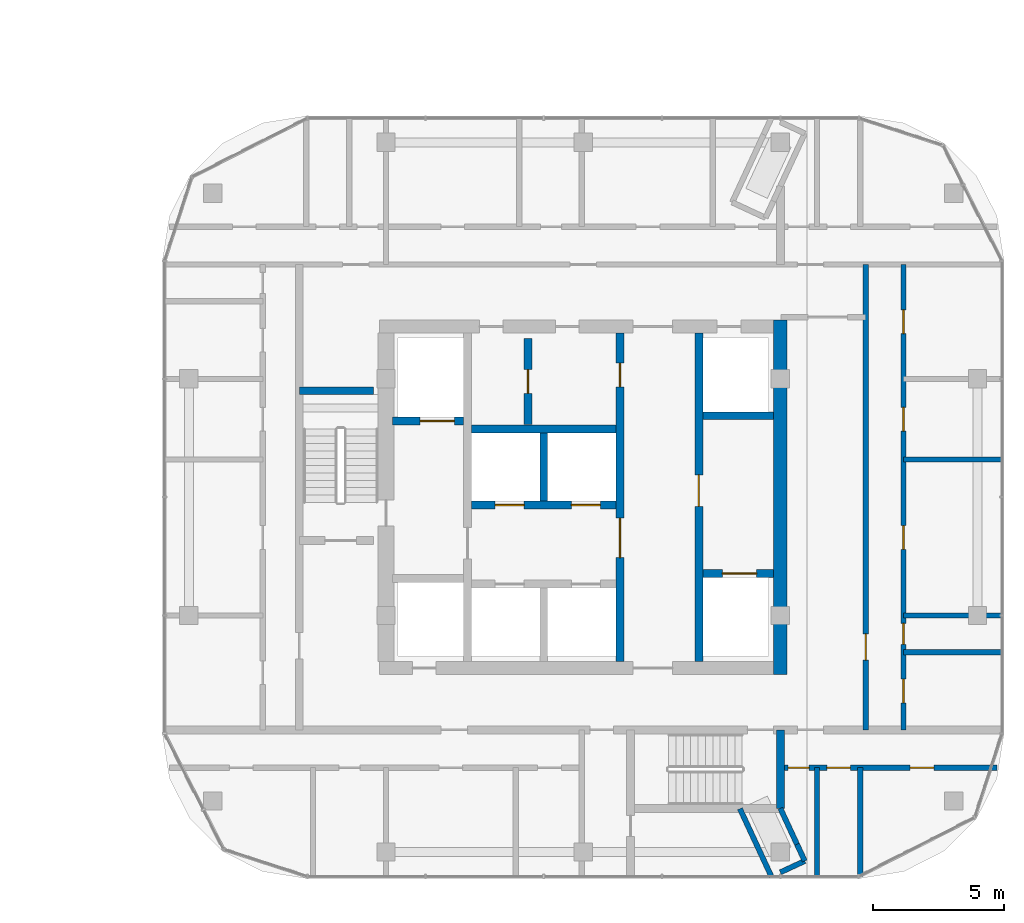
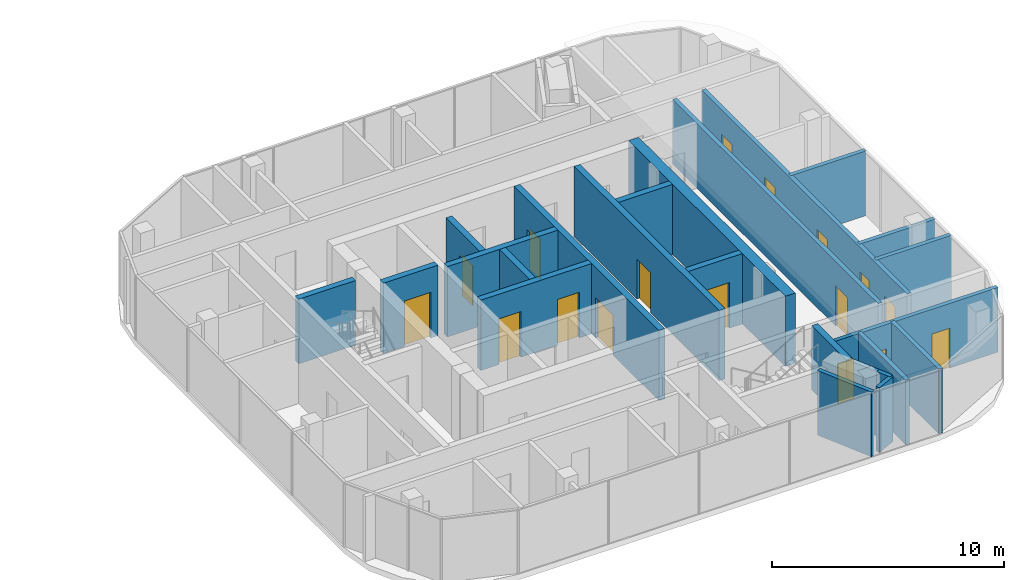
# One storey, part 25 of 35: 24 walls, 17 doors, 17 openings.
"""IFC4 building model written with IfcOpenShell, lengths in metres."""

from ifc_helpers import new_model, si_unit, direction, frame, frame_2d, origin, place, context, subcontext, project, spatial, rectangle, extrude, material, layer, layer_set, type_object, element, fill, save


model = new_model("IFC4")

# Units and contexts
model_context = context("Model", 3, precision=1e-05, world=origin(), true_north=direction((0.0, 1.0)))
body_context = subcontext(model_context, "Body", "Model", "MODEL_VIEW")
ifc_project = project(units=[si_unit("LENGTHUNIT", "METRE"), si_unit("AREAUNIT", "SQUARE_METRE"), si_unit("VOLUMEUNIT", "CUBIC_METRE"), si_unit("PLANEANGLEUNIT", "RADIAN"), si_unit("MASSUNIT", "GRAM", prefix="KILO")], contexts=[model_context])

# Site, building, storey
site_placement = place(None, origin())
site = spatial("IfcSite", under=ifc_project, at=site_placement, CompositionType="ELEMENT")
building_placement = place(site_placement, origin())
building = spatial("IfcBuilding", under=site, at=building_placement, Name="Ogive Portal Towers", CompositionType="ELEMENT")
storey_placement = place(building_placement, frame((0.0, 0.0, 90.800048828125)))
storey = spatial("IfcBuildingStorey", under=building, at=storey_placement, Name="L21", CompositionType="ELEMENT", Elevation=90.800048828125)

# Wall, openings, doors
ifc_material_1 = material(Name="Concrete C60/75", Category="concrete")
ifc_layer_1 = layer(ifc_material_1, 0.300048828125)
ifc_layer_set_1 = layer_set([ifc_layer_1], Name="CORE WALL 300 C60")
wall_type_1 = type_object("IfcWallType", Name="CORE WALL 300 C60", PredefinedType="SHEAR", material=ifc_layer_set_1)
wall_1_placement = place(storey_placement, frame((137.89990234375, 24.75, 0.0), z_axis=(0.0, 0.0, 1.0), x_axis=(0.0, 1.0, 0.0)))
wall_1 = element("IfcWall", 1, at=wall_1_placement, inside=storey, type_object=wall_type_1, Name="Tower B core wall BX2 L21", PredefinedType="SHEAR", context=body_context, shape_type="SweptSolid", body=[
    extrude(rectangle(XDim=12.5, YDim=0.300048828125, at=frame_2d((6.25, 0.0))), origin(), (0.0, 0.0, 1.0), 3.699951171875),
])
opening_1_placement = place(wall_1_placement, frame((3.949951171875, 0.0, 0.0)))
opening_1 = element("IfcOpeningElement", 2, at=opening_1_placement, cuts=wall_1, Name="Opening B07-041", PredefinedType="OPENING", context=body_context, shape_type="SweptSolid", body=[
    extrude(rectangle(XDim=1.5, YDim=2.10009765625, at=frame_2d((0.75, 1.050048828125))), frame((0.0, 0.16015625, 0.0), z_axis=(0.0, -1.0, 0.0), x_axis=(1.0, 0.0, 0.0)), (0.0, 0.0, 1.0), 0.320068359375),
])
opening_2_placement = place(wall_1_placement, frame((10.449951171875, 0.0, 0.0)))
opening_2 = element("IfcOpeningElement", 3, at=opening_2_placement, cuts=wall_1, Name="Opening B07-057", PredefinedType="OPENING", context=body_context, shape_type="SweptSolid", body=[
    extrude(rectangle(XDim=0.89990234375, YDim=2.10009765625, at=frame_2d((0.449951171875, 1.050048828125))), frame((0.0, 0.16015625, 0.0), z_axis=(0.0, -1.0, 0.0), x_axis=(1.0, 0.0, 0.0)), (0.0, 0.0, 1.0), 0.320068359375),
])
ifc_material_2 = material(Name="Steel fire door", Category="steel")
door_type_1 = type_object("IfcDoorType", Name="DT-SWING-1500x2100-FD90S", OperationType="SINGLE_SWING_LEFT", PredefinedType="DOOR", material=ifc_material_2)
door_1_placement = place(opening_1_placement, origin())
door_1 = element("IfcDoor", 4, at=door_1_placement, inside=storey, type_object=door_type_1, Name="Door B07-041", OperationType="SINGLE_SWING_RIGHT", OverallHeight=2.10009765625, OverallWidth=1.5, PredefinedType="DOOR", context=body_context, shape_type="SweptSolid", body=[
    extrude(rectangle(XDim=1.5, YDim=2.10009765625, at=frame_2d((0.75, 1.050048828125))), frame((0.0, 0.02490234375, 0.0), z_axis=(0.0, -1.0, 0.0), x_axis=(1.0, 0.0, 0.0)), (0.0, 0.0, 1.0), 0.050048828125),
])
fill(opening_1, door_1)
door_type_2 = type_object("IfcDoorType", Name="DT-SWING-900x2100-FD90S", OperationType="SINGLE_SWING_LEFT", PredefinedType="DOOR", material=ifc_material_2)
door_2_placement = place(opening_2_placement, origin())
door_2 = element("IfcDoor", 5, at=door_2_placement, inside=storey, type_object=door_type_2, Name="Door B07-057", OperationType="SINGLE_SWING_RIGHT", OverallHeight=2.10009765625, OverallWidth=0.89990234375, PredefinedType="DOOR", context=body_context, shape_type="SweptSolid", body=[
    extrude(rectangle(XDim=0.89990234375, YDim=2.10009765625, at=frame_2d((0.449951171875, 1.050048828125))), frame((0.0, 0.02490234375, 0.0), z_axis=(0.0, -1.0, 0.0), x_axis=(1.0, 0.0, 0.0)), (0.0, 0.0, 1.0), 0.050048828125),
])
fill(opening_2, door_2)

# Wall, opening, door
wall_2_placement = place(storey_placement, frame((140.89990234375, 24.75, 0.0), z_axis=(0.0, 0.0, 1.0), x_axis=(0.0, 1.0, 0.0)))
wall_2 = element("IfcWall", 6, at=wall_2_placement, inside=storey, type_object=wall_type_1, Name="Tower B core wall BX3 L21", PredefinedType="SHEAR", context=body_context, shape_type="SweptSolid", body=[
    extrude(rectangle(XDim=12.5, YDim=0.300048828125, at=frame_2d((6.25, 0.0))), origin(), (0.0, 0.0, 1.0), 3.699951171875),
])
opening_3_placement = place(wall_2_placement, frame((5.89990234375, 0.0, 0.0)))
opening_3 = element("IfcOpeningElement", 7, at=opening_3_placement, cuts=wall_2, Name="Opening B07-043", PredefinedType="OPENING", context=body_context, shape_type="SweptSolid", body=[
    extrude(rectangle(XDim=1.199951171875, YDim=2.10009765625, at=frame_2d((0.60009765625, 1.050048828125))), frame((0.0, 0.16015625, 0.0), z_axis=(0.0, -1.0, 0.0), x_axis=(1.0, 0.0, 0.0)), (0.0, 0.0, 1.0), 0.320068359375),
])
door_type_3 = type_object("IfcDoorType", Name="DT-SWING-1200x2100-FD90S", OperationType="SINGLE_SWING_LEFT", PredefinedType="DOOR", material=ifc_material_2)
door_3_placement = place(opening_3_placement, origin())
door_3 = element("IfcDoor", 8, at=door_3_placement, inside=storey, type_object=door_type_3, Name="Door B07-043", OperationType="SINGLE_SWING_RIGHT", OverallHeight=2.10009765625, OverallWidth=1.199951171875, PredefinedType="DOOR", context=body_context, shape_type="SweptSolid", body=[
    extrude(rectangle(XDim=1.199951171875, YDim=2.10009765625, at=frame_2d((0.60009765625, 1.050048828125))), frame((0.0, 0.02490234375, 0.0), z_axis=(0.0, -1.0, 0.0), x_axis=(1.0, 0.0, 0.0)), (0.0, 0.0, 1.0), 0.050048828125),
])
fill(opening_3, door_3)

# Wall
wall_3_placement = place(storey_placement, frame((135.0, 30.85009765625, 0.0), z_axis=(0.0, 0.0, 1.0), x_axis=(0.0, 1.0, 0.0)))
element("IfcWall", 9, at=wall_3_placement, inside=storey, type_object=wall_type_1, Name="Tower B core wall BX5 L21", PredefinedType="SHEAR", context=body_context, shape_type="SweptSolid", body=[
    extrude(rectangle(XDim=2.599853515625, YDim=0.300048828125, at=frame_2d((1.2998046875, 0.0))), origin(), (0.0, 0.0, 1.0), 3.699951171875),
])

# Wall, openings, doors
wall_4_placement = place(storey_placement, frame((132.25, 30.699951171875, 0.0), z_axis=(0.0, 0.0, 1.0), x_axis=(1.0, 0.0, 0.0)))
wall_4 = element("IfcWall", 10, at=wall_4_placement, inside=storey, type_object=wall_type_1, Name="Tower B core wall BY2 L21", PredefinedType="SHEAR", context=body_context, shape_type="SweptSolid", body=[
    extrude(rectangle(XDim=5.5, YDim=0.300048828125, at=frame_2d((2.75, 0.0))), origin(), (0.0, 0.0, 1.0), 3.699951171875),
])
opening_4_placement = place(wall_4_placement, frame((0.89990234375, 0.0, 0.0)))
opening_4 = element("IfcOpeningElement", 11, at=opening_4_placement, cuts=wall_4, Name="Opening B07-051", PredefinedType="OPENING", context=body_context, shape_type="SweptSolid", body=[
    extrude(rectangle(XDim=1.10009765625, YDim=2.39990234375, at=frame_2d((0.550048828125, 1.199951171875))), frame((0.0, 0.16015625, 0.0), z_axis=(0.0, -1.0, 0.0), x_axis=(1.0, 0.0, 0.0)), (0.0, 0.0, 1.0), 0.320068359375),
])
opening_5_placement = place(wall_4_placement, frame((3.800048828125, 0.0, 0.0)))
opening_5 = element("IfcOpeningElement", 12, at=opening_5_placement, cuts=wall_4, Name="Opening B07-052", PredefinedType="OPENING", context=body_context, shape_type="SweptSolid", body=[
    extrude(rectangle(XDim=1.10009765625, YDim=2.39990234375, at=frame_2d((0.550048828125, 1.199951171875))), frame((0.0, 0.16015625, 0.0), z_axis=(0.0, -1.0, 0.0), x_axis=(1.0, 0.0, 0.0)), (0.0, 0.0, 1.0), 0.320068359375),
])
ifc_material_3 = material(Name="Stainless steel", Category="steel")
door_type_4 = type_object("IfcDoorType", Name="DT-LD-1100x2400", OperationType="SLIDING_TO_LEFT", PredefinedType="DOOR", material=ifc_material_3)
door_4_placement = place(opening_4_placement, origin())
door_4 = element("IfcDoor", 13, at=door_4_placement, inside=storey, type_object=door_type_4, Name="Door B07-051", OperationType="SLIDING_TO_LEFT", OverallHeight=2.39990234375, OverallWidth=1.10009765625, PredefinedType="DOOR", context=body_context, shape_type="SweptSolid", body=[
    extrude(rectangle(XDim=1.10009765625, YDim=2.39990234375, at=frame_2d((0.550048828125, 1.199951171875))), frame((0.0, 0.02490234375, 0.0), z_axis=(0.0, -1.0, 0.0), x_axis=(1.0, 0.0, 0.0)), (0.0, 0.0, 1.0), 0.050048828125),
])
fill(opening_4, door_4)
door_5_placement = place(opening_5_placement, origin())
door_5 = element("IfcDoor", 14, at=door_5_placement, inside=storey, type_object=door_type_4, Name="Door B07-052", OperationType="SLIDING_TO_LEFT", OverallHeight=2.39990234375, OverallWidth=1.10009765625, PredefinedType="DOOR", context=body_context, shape_type="SweptSolid", body=[
    extrude(rectangle(XDim=1.10009765625, YDim=2.39990234375, at=frame_2d((0.550048828125, 1.199951171875))), frame((0.0, 0.02490234375, 0.0), z_axis=(0.0, -1.0, 0.0), x_axis=(1.0, 0.0, 0.0)), (0.0, 0.0, 1.0), 0.050048828125),
])
fill(opening_5, door_5)

# Wall
wall_5_placement = place(storey_placement, frame((132.25, 33.60009765625, 0.0), z_axis=(0.0, 0.0, 1.0), x_axis=(1.0, 0.0, 0.0)))
element("IfcWall", 15, at=wall_5_placement, inside=storey, type_object=wall_type_1, Name="Tower B core wall BY3 L21", PredefinedType="SHEAR", context=body_context, shape_type="SweptSolid", body=[
    extrude(rectangle(XDim=5.5, YDim=0.300048828125, at=frame_2d((2.75, 0.0))), origin(), (0.0, 0.0, 1.0), 3.699951171875),
])

# Wall, opening, door
wall_6_placement = place(storey_placement, frame((129.25, 33.89990234375, 0.0), z_axis=(0.0, 0.0, 1.0), x_axis=(1.0, 0.0, 0.0)))
wall_6 = element("IfcWall", 16, at=wall_6_placement, inside=storey, type_object=wall_type_1, Name="Tower B core wall BY5 L21", PredefinedType="SHEAR", context=body_context, shape_type="SweptSolid", body=[
    extrude(rectangle(XDim=2.699951171875, YDim=0.300048828125, at=frame_2d((1.35009765625, 0.0))), origin(), (0.0, 0.0, 1.0), 3.699951171875),
])
opening_6_placement = place(wall_6_placement, frame((1.050048828125, 0.0, 0.0)))
opening_6 = element("IfcOpeningElement", 17, at=opening_6_placement, cuts=wall_6, Name="Opening B07-053", PredefinedType="OPENING", context=body_context, shape_type="SweptSolid", body=[
    extrude(rectangle(XDim=1.300048828125, YDim=2.39990234375, at=frame_2d((0.64990234375, 1.199951171875))), frame((0.0, 0.16015625, 0.0), z_axis=(0.0, -1.0, 0.0), x_axis=(1.0, 0.0, 0.0)), (0.0, 0.0, 1.0), 0.320068359375),
])
door_type_5 = type_object("IfcDoorType", Name="DT-LD-1300x2400", OperationType="SLIDING_TO_LEFT", PredefinedType="DOOR", material=ifc_material_3)
door_6_placement = place(opening_6_placement, origin())
door_6 = element("IfcDoor", 18, at=door_6_placement, inside=storey, type_object=door_type_5, Name="Door B07-053", OperationType="SLIDING_TO_LEFT", OverallHeight=2.39990234375, OverallWidth=1.300048828125, PredefinedType="DOOR", context=body_context, shape_type="SweptSolid", body=[
    extrude(rectangle(XDim=1.300048828125, YDim=2.39990234375, at=frame_2d((0.64990234375, 1.199951171875))), frame((0.0, 0.02490234375, 0.0), z_axis=(0.0, -1.0, 0.0), x_axis=(1.0, 0.0, 0.0)), (0.0, 0.0, 1.0), 0.050048828125),
])
fill(opening_6, door_6)

wall_7_placement = place(storey_placement, frame((141.050048828125, 28.10009765625, 0.0), z_axis=(0.0, 0.0, 1.0), x_axis=(1.0, 0.0, 0.0)))
wall_7 = element("IfcWall", 19, at=wall_7_placement, inside=storey, type_object=wall_type_1, Name="Tower B core wall BY6 L21", PredefinedType="SHEAR", context=body_context, shape_type="SweptSolid", body=[
    extrude(rectangle(XDim=2.699951171875, YDim=0.300048828125, at=frame_2d((1.35009765625, 0.0))), origin(), (0.0, 0.0, 1.0), 3.699951171875),
])
opening_7_placement = place(wall_7_placement, frame((0.75, 0.0, 0.0)))
opening_7 = element("IfcOpeningElement", 20, at=opening_7_placement, cuts=wall_7, Name="Opening B07-054", PredefinedType="OPENING", context=body_context, shape_type="SweptSolid", body=[
    extrude(rectangle(XDim=1.300048828125, YDim=2.39990234375, at=frame_2d((0.64990234375, 1.199951171875))), frame((0.0, 0.16015625, 0.0), z_axis=(0.0, -1.0, 0.0), x_axis=(1.0, 0.0, 0.0)), (0.0, 0.0, 1.0), 0.320068359375),
])
door_7_placement = place(opening_7_placement, origin())
door_7 = element("IfcDoor", 21, at=door_7_placement, inside=storey, type_object=door_type_5, Name="Door B07-054", OperationType="SLIDING_TO_LEFT", OverallHeight=2.39990234375, OverallWidth=1.300048828125, PredefinedType="DOOR", context=body_context, shape_type="SweptSolid", body=[
    extrude(rectangle(XDim=1.300048828125, YDim=2.39990234375, at=frame_2d((0.64990234375, 1.199951171875))), frame((0.0, 0.02490234375, 0.0), z_axis=(0.0, -1.0, 0.0), x_axis=(1.0, 0.0, 0.0)), (0.0, 0.0, 1.0), 0.050048828125),
])
fill(opening_7, door_7)

# Walls
wall_8_placement = place(storey_placement, frame((141.050048828125, 34.10009765625, 0.0), z_axis=(0.0, 0.0, 1.0), x_axis=(1.0, 0.0, 0.0)))
element("IfcWall", 22, at=wall_8_placement, inside=storey, type_object=wall_type_1, Name="Tower B core wall BY7 L21", PredefinedType="SHEAR", context=body_context, shape_type="SweptSolid", body=[
    extrude(rectangle(XDim=2.699951171875, YDim=0.300048828125, at=frame_2d((1.35009765625, 0.0))), origin(), (0.0, 0.0, 1.0), 3.699951171875),
])
ifc_layer_2 = layer(ifc_material_1, 0.5)
ifc_layer_set_2 = layer_set([ifc_layer_2], Name="CORE WALL 500 C60")
wall_type_2 = type_object("IfcWallType", Name="CORE WALL 500 C60", PredefinedType="SHEAR", material=ifc_layer_set_2)
wall_9_placement = place(storey_placement, frame((144.0, 24.25, 0.0), z_axis=(0.0, 0.0, 1.0), x_axis=(0.0, 1.0, 0.0)))
element("IfcWall", 23, at=wall_9_placement, inside=storey, type_object=wall_type_2, Name="Tower B core wall BE L21", PredefinedType="SHEAR", context=body_context, shape_type="SweptSolid", body=[
    extrude(rectangle(XDim=13.5, YDim=0.5, at=frame_2d((6.75, 0.0))), origin(), (0.0, 0.0, 1.0), 3.699951171875),
])
ifc_material_4 = material(Name="Concrete C50/60", Category="concrete")
ifc_layer_3 = layer(ifc_material_4, 0.300048828125)
ifc_layer_set_3 = layer_set([ifc_layer_3], Name="STAIR WALL 300 C50")
wall_type_3 = type_object("IfcWallType", Name="STAIR WALL 300 C50", PredefinedType="SHEAR", material=ifc_layer_set_3)
wall_10_placement = place(storey_placement, frame((125.699951171875, 35.050048828125, 0.0), z_axis=(0.0, 0.0, 1.0), x_axis=(1.0, 0.0, 0.0)))
element("IfcWall", 24, at=wall_10_placement, inside=storey, type_object=wall_type_3, Name="Stair wall ST-B1 L21", PredefinedType="SHEAR", context=body_context, shape_type="SweptSolid", body=[
    extrude(rectangle(XDim=2.830078125, YDim=0.300048828125, at=frame_2d((1.4150390625, 0.0))), origin(), (0.0, 0.0, 1.0), 3.39990234375),
])
wall_11_placement = place(storey_placement, frame((144.0, 19.14990234375, 0.0), z_axis=(0.0, 0.0, 1.0), x_axis=(0.0, 1.0, 0.0)))
element("IfcWall", 25, at=wall_11_placement, inside=storey, type_object=wall_type_3, Name="Stair wall ST-B2 L21", PredefinedType="SHEAR", context=body_context, shape_type="SweptSolid", body=[
    extrude(rectangle(XDim=3.0, YDim=0.300048828125, at=frame_2d((1.5, 0.0))), origin(), (0.0, 0.0, 1.0), 3.39990234375),
])
ifc_material_5 = material(Name="Gypsum board partition on steel studs", Category="steel")
ifc_layer_4 = layer(ifc_material_5, 0.199951171875)
ifc_layer_set_4 = layer_set([ifc_layer_4], Name="WT-PART-200-EI 60")
wall_type_4 = type_object("IfcWallType", Name="WT-PART-200-EI 60", PredefinedType="PARTITIONING", material=ifc_layer_set_4)
wall_12_placement = place(storey_placement, frame((142.462890625, 19.14990234375, 0.0), z_axis=(0.0, 0.0, 1.0), x_axis=(0.421030913131, -0.90704628889, 0.0)))
element("IfcWall", 26, at=wall_12_placement, inside=storey, type_object=wall_type_4, Name="Wall L21:w002", PredefinedType="PARTITIONING", context=body_context, shape_type="SweptSolid", body=[
    extrude(rectangle(XDim=2.855224609375, YDim=0.199951171875, at=frame_2d((1.427734375, 0.0))), origin(), (0.0, 0.0, 1.0), 3.39990234375),
])
wall_13_placement = place(storey_placement, frame((144.0, 16.72802734375, 0.0), z_axis=(0.0, 0.0, 1.0), x_axis=(0.906960240365, 0.42121624185, 0.0)))
element("IfcWall", 27, at=wall_13_placement, inside=storey, type_object=wall_type_4, Name="Wall L21:w007", PredefinedType="PARTITIONING", context=body_context, shape_type="SweptSolid", body=[
    extrude(rectangle(XDim=1.025390625, YDim=0.199951171875, at=frame_2d((0.5126953125, 0.0))), origin(), (0.0, 0.0, 1.0), 3.39990234375),
])
wall_14_placement = place(storey_placement, frame((144.0, 19.1630859375, 0.0), z_axis=(0.0, 0.0, 1.0), x_axis=(0.420997169079, -0.907061951372, 0.0)))
element("IfcWall", 28, at=wall_14_placement, inside=storey, type_object=wall_type_4, Name="Wall L21:w009", PredefinedType="PARTITIONING", context=body_context, shape_type="SweptSolid", body=[
    extrude(rectangle(XDim=1.50830078125, YDim=0.199951171875, at=frame_2d((0.754150390625, 0.0))), origin(), (0.0, 0.0, 1.0), 3.39990234375),
])
wall_15_placement = place(storey_placement, frame((144.635009765625, 17.794921875, 0.0), z_axis=(0.0, 0.0, 1.0), x_axis=(0.421223998033, -0.906956638148, 0.0)))
element("IfcWall", 29, at=wall_15_placement, inside=storey, type_object=wall_type_4, Name="Wall L21:w010", PredefinedType="PARTITIONING", context=body_context, shape_type="SweptSolid", body=[
    extrude(rectangle(XDim=0.7001953125, YDim=0.199951171875, at=frame_2d((0.35009765625, 0.0))), origin(), (0.0, 0.0, 1.0), 3.39990234375),
])

# Wall, openings, doors
wall_16_placement = place(storey_placement, frame((144.0, 20.7099609375, 0.0), z_axis=(0.0, 0.0, 1.0), x_axis=(1.0, 0.0, 0.0)))
wall_16 = element("IfcWall", 30, at=wall_16_placement, inside=storey, type_object=wall_type_4, Name="Wall L21:w014", PredefinedType="PARTITIONING", context=body_context, shape_type="SweptSolid", body=[
    extrude(rectangle(XDim=8.235107421875, YDim=0.199951171875, at=frame_2d((4.11767578125, 0.0))), origin(), (0.0, 0.0, 1.0), 3.39990234375),
])
opening_8_placement = place(wall_16_placement, frame((0.300048828125, 0.0, 0.0)))
opening_8 = element("IfcOpeningElement", 31, at=opening_8_placement, cuts=wall_16, Name="Opening B07-024", PredefinedType="OPENING", context=body_context, shape_type="SweptSolid", body=[
    extrude(rectangle(XDim=0.800048828125, YDim=2.10009765625, at=frame_2d((0.39990234375, 1.050048828125))), frame((0.0, 0.10986328125, 0.0), z_axis=(0.0, -1.0, 0.0), x_axis=(1.0, 0.0, 0.0)), (0.0, 0.0, 1.0), 0.219970703125),
])
opening_9_placement = place(wall_16_placement, frame((1.76904296875, 0.0, 0.0)))
opening_9 = element("IfcOpeningElement", 32, at=opening_9_placement, cuts=wall_16, Name="Opening B07-025", PredefinedType="OPENING", context=body_context, shape_type="SweptSolid", body=[
    extrude(rectangle(XDim=0.89990234375, YDim=2.10009765625, at=frame_2d((0.449951171875, 1.050048828125))), frame((0.0, 0.10986328125, 0.0), z_axis=(0.0, -1.0, 0.0), x_axis=(1.0, 0.0, 0.0)), (0.0, 0.0, 1.0), 0.219970703125),
])
opening_10_placement = place(wall_16_placement, frame((4.93798828125, 0.0, 0.0)))
opening_10 = element("IfcOpeningElement", 33, at=opening_10_placement, cuts=wall_16, Name="Opening B07-026", PredefinedType="OPENING", context=body_context, shape_type="SweptSolid", body=[
    extrude(rectangle(XDim=0.89990234375, YDim=2.10009765625, at=frame_2d((0.449951171875, 1.050048828125))), frame((0.0, 0.10986328125, 0.0), z_axis=(0.0, -1.0, 0.0), x_axis=(1.0, 0.0, 0.0)), (0.0, 0.0, 1.0), 0.219970703125),
])
door_type_6 = type_object("IfcDoorType", Name="DT-SWING-800x2100-FD60S", OperationType="SINGLE_SWING_LEFT", PredefinedType="DOOR", material=ifc_material_2)
door_8_placement = place(opening_8_placement, origin())
door_8 = element("IfcDoor", 34, at=door_8_placement, inside=storey, type_object=door_type_6, Name="Door B07-024", OperationType="SINGLE_SWING_RIGHT", OverallHeight=2.10009765625, OverallWidth=0.800048828125, PredefinedType="DOOR", context=body_context, shape_type="SweptSolid", body=[
    extrude(rectangle(XDim=0.800048828125, YDim=2.10009765625, at=frame_2d((0.39990234375, 1.050048828125))), frame((0.0, 0.02490234375, 0.0), z_axis=(0.0, -1.0, 0.0), x_axis=(1.0, 0.0, 0.0)), (0.0, 0.0, 1.0), 0.050048828125),
])
fill(opening_8, door_8)
door_type_7 = type_object("IfcDoorType", Name="DT-SWING-900x2100-FD60S", OperationType="SINGLE_SWING_LEFT", PredefinedType="DOOR", material=ifc_material_2)
door_9_placement = place(opening_9_placement, origin())
door_9 = element("IfcDoor", 35, at=door_9_placement, inside=storey, type_object=door_type_7, Name="Door B07-025", OperationType="SINGLE_SWING_LEFT", OverallHeight=2.10009765625, OverallWidth=0.89990234375, PredefinedType="DOOR", context=body_context, shape_type="SweptSolid", body=[
    extrude(rectangle(XDim=0.89990234375, YDim=2.10009765625, at=frame_2d((0.449951171875, 1.050048828125))), frame((0.0, 0.02490234375, 0.0), z_axis=(0.0, -1.0, 0.0), x_axis=(1.0, 0.0, 0.0)), (0.0, 0.0, 1.0), 0.050048828125),
])
fill(opening_9, door_9)
door_10_placement = place(opening_10_placement, origin())
door_10 = element("IfcDoor", 36, at=door_10_placement, inside=storey, type_object=door_type_7, Name="Door B07-026", OperationType="SINGLE_SWING_RIGHT", OverallHeight=2.10009765625, OverallWidth=0.89990234375, PredefinedType="DOOR", context=body_context, shape_type="SweptSolid", body=[
    extrude(rectangle(XDim=0.89990234375, YDim=2.10009765625, at=frame_2d((0.449951171875, 1.050048828125))), frame((0.0, 0.02490234375, 0.0), z_axis=(0.0, -1.0, 0.0), x_axis=(1.0, 0.0, 0.0)), (0.0, 0.0, 1.0), 0.050048828125),
])
fill(opening_10, door_10)

# Walls
for number, where, z_axis, x_axis, name in (
    (37, (148.68994140625, 25.10595703125, 0.0), (0.0, 0.0, 1.0), (1.0, 0.0, 0.0), "Wall L21:w018"),
    (38, (148.68994140625, 26.5, 0.0), (0.0, 0.0, 1.0), (1.0, 0.0, 0.0), "Wall L21:w020"),
    (39, (148.68994140625, 32.43310546875, 0.0), (0.0, 0.0, 1.0), (1.0, 0.0, 0.0), "Wall L21:w023"),
):
    element("IfcWall", number, at=place(storey_placement, frame(where, z_axis=z_axis, x_axis=x_axis)), inside=storey, type_object=wall_type_4, Name=name, PredefinedType="PARTITIONING", context=body_context, shape_type="SweptSolid", body=[
        extrude(rectangle(XDim=3.75, YDim=0.199951171875, at=frame_2d((1.875, 0.0))), origin(), (0.0, 0.0, 1.0), 3.39990234375),
    ])
wall_17_placement = place(storey_placement, frame((145.39892578125, 16.56005859375, 0.0), z_axis=(0.0, 0.0, 1.0), x_axis=(0.0, 1.0, 0.0)))
element("IfcWall", 40, at=wall_17_placement, inside=storey, type_object=wall_type_4, Name="Wall L21:w052", PredefinedType="PARTITIONING", context=body_context, shape_type="SweptSolid", body=[
    extrude(rectangle(XDim=4.14990234375, YDim=0.199951171875, at=frame_2d((2.074951171875, 0.0))), origin(), (0.0, 0.0, 1.0), 3.39990234375),
])
wall_18_placement = place(storey_placement, frame((147.0380859375, 16.56689453125, 0.0), z_axis=(0.0, 0.0, 1.0), x_axis=(0.0, 1.0, 0.0)))
element("IfcWall", 41, at=wall_18_placement, inside=storey, type_object=wall_type_4, Name="Wall L21:w054", PredefinedType="PARTITIONING", context=body_context, shape_type="SweptSolid", body=[
    extrude(rectangle(XDim=4.14306640625, YDim=0.199951171875, at=frame_2d((2.071533203125, 0.0))), origin(), (0.0, 0.0, 1.0), 3.39990234375),
])

# Wall, opening, door
wall_19_placement = place(storey_placement, frame((147.25, 22.14990234375, 0.0), z_axis=(0.0, 0.0, 1.0), x_axis=(0.0, 1.0, 0.0)))
wall_19 = element("IfcWall", 42, at=wall_19_placement, inside=storey, type_object=wall_type_4, Name="Wall L21:w056", PredefinedType="PARTITIONING", context=body_context, shape_type="SweptSolid", body=[
    extrude(rectangle(XDim=17.7001953125, YDim=0.199951171875, at=frame_2d((8.85009765625, 0.0))), origin(), (0.0, 0.0, 1.0), 3.39990234375),
])
opening_11_placement = place(wall_19_placement, frame((2.64990234375, 0.0, 0.0)))
opening_11 = element("IfcOpeningElement", 43, at=opening_11_placement, cuts=wall_19, Name="Opening B07-035", PredefinedType="OPENING", context=body_context, shape_type="SweptSolid", body=[
    extrude(rectangle(XDim=1.0, YDim=2.10009765625, at=frame_2d((0.5, 1.050048828125))), frame((0.0, 0.10986328125, 0.0), z_axis=(0.0, -1.0, 0.0), x_axis=(1.0, 0.0, 0.0)), (0.0, 0.0, 1.0), 0.219970703125),
])
door_type_8 = type_object("IfcDoorType", Name="DT-SWING-1000x2100-FD60S", OperationType="SINGLE_SWING_LEFT", PredefinedType="DOOR", material=ifc_material_2)
door_11_placement = place(opening_11_placement, origin())
door_11 = element("IfcDoor", 44, at=door_11_placement, inside=storey, type_object=door_type_8, Name="Door B07-035", OperationType="SINGLE_SWING_LEFT", OverallHeight=2.10009765625, OverallWidth=1.0, PredefinedType="DOOR", context=body_context, shape_type="SweptSolid", body=[
    extrude(rectangle(XDim=1.0, YDim=2.10009765625, at=frame_2d((0.5, 1.050048828125))), frame((0.0, 0.02490234375, 0.0), z_axis=(0.0, -1.0, 0.0), x_axis=(1.0, 0.0, 0.0)), (0.0, 0.0, 1.0), 0.050048828125),
])
fill(opening_11, door_11)

# Wall, openings, doors
wall_20_placement = place(storey_placement, frame((148.68994140625, 22.14990234375, 0.0), z_axis=(0.0, 0.0, 1.0), x_axis=(0.0, 1.0, 0.0)))
wall_20 = element("IfcWall", 45, at=wall_20_placement, inside=storey, type_object=wall_type_4, Name="Wall L21:w057", PredefinedType="PARTITIONING", context=body_context, shape_type="SweptSolid", body=[
    extrude(rectangle(XDim=17.7001953125, YDim=0.199951171875, at=frame_2d((8.85009765625, 0.0))), origin(), (0.0, 0.0, 1.0), 3.39990234375),
])
opening_12_placement = place(wall_20_placement, frame((1.028076171875, 0.0, 0.0)))
opening_12 = element("IfcOpeningElement", 46, at=opening_12_placement, cuts=wall_20, Name="Opening B07-036", PredefinedType="OPENING", context=body_context, shape_type="SweptSolid", body=[
    extrude(rectangle(XDim=0.89990234375, YDim=2.10009765625, at=frame_2d((0.449951171875, 1.050048828125))), frame((0.0, 0.10986328125, 0.0), z_axis=(0.0, -1.0, 0.0), x_axis=(1.0, 0.0, 0.0)), (0.0, 0.0, 1.0), 0.219970703125),
])
opening_13_placement = place(wall_20_placement, frame((3.2529296875, 0.0, 0.0)))
opening_13 = element("IfcOpeningElement", 47, at=opening_13_placement, cuts=wall_20, Name="Opening B07-037", PredefinedType="OPENING", context=body_context, shape_type="SweptSolid", body=[
    extrude(rectangle(XDim=0.800048828125, YDim=2.10009765625, at=frame_2d((0.39990234375, 1.050048828125))), frame((0.0, 0.10986328125, 0.0), z_axis=(0.0, -1.0, 0.0), x_axis=(1.0, 0.0, 0.0)), (0.0, 0.0, 1.0), 0.219970703125),
])
opening_14_placement = place(wall_20_placement, frame((6.866943359375, 0.0, 0.0)))
opening_14 = element("IfcOpeningElement", 48, at=opening_14_placement, cuts=wall_20, Name="Opening B07-038", PredefinedType="OPENING", context=body_context, shape_type="SweptSolid", body=[
    extrude(rectangle(XDim=0.89990234375, YDim=2.10009765625, at=frame_2d((0.449951171875, 1.050048828125))), frame((0.0, 0.10986328125, 0.0), z_axis=(0.0, -1.0, 0.0), x_axis=(1.0, 0.0, 0.0)), (0.0, 0.0, 1.0), 0.219970703125),
])
opening_15_placement = place(wall_20_placement, frame((11.366943359375, 0.0, 0.0)))
opening_15 = element("IfcOpeningElement", 49, at=opening_15_placement, cuts=wall_20, Name="Opening B07-039", PredefinedType="OPENING", context=body_context, shape_type="SweptSolid", body=[
    extrude(rectangle(XDim=0.89990234375, YDim=2.10009765625, at=frame_2d((0.449951171875, 1.050048828125))), frame((0.0, 0.10986328125, 0.0), z_axis=(0.0, -1.0, 0.0), x_axis=(1.0, 0.0, 0.0)), (0.0, 0.0, 1.0), 0.219970703125),
])
opening_16_placement = place(wall_20_placement, frame((15.074951171875, 0.0, 0.0)))
opening_16 = element("IfcOpeningElement", 50, at=opening_16_placement, cuts=wall_20, Name="Opening B07-040", PredefinedType="OPENING", context=body_context, shape_type="SweptSolid", body=[
    extrude(rectangle(XDim=0.89990234375, YDim=2.10009765625, at=frame_2d((0.449951171875, 1.050048828125))), frame((0.0, 0.10986328125, 0.0), z_axis=(0.0, -1.0, 0.0), x_axis=(1.0, 0.0, 0.0)), (0.0, 0.0, 1.0), 0.219970703125),
])
door_12_placement = place(opening_13_placement, origin())
door_12 = element("IfcDoor", 51, at=door_12_placement, inside=storey, type_object=door_type_6, Name="Door B07-037", OperationType="SINGLE_SWING_LEFT", OverallHeight=2.10009765625, OverallWidth=0.800048828125, PredefinedType="DOOR", context=body_context, shape_type="SweptSolid", body=[
    extrude(rectangle(XDim=0.800048828125, YDim=2.10009765625, at=frame_2d((0.39990234375, 1.050048828125))), frame((0.0, 0.02490234375, 0.0), z_axis=(0.0, -1.0, 0.0), x_axis=(1.0, 0.0, 0.0)), (0.0, 0.0, 1.0), 0.050048828125),
])
fill(opening_13, door_12)
door_13_placement = place(opening_12_placement, origin())
door_13 = element("IfcDoor", 52, at=door_13_placement, inside=storey, type_object=door_type_7, Name="Door B07-036", OperationType="SINGLE_SWING_RIGHT", OverallHeight=2.10009765625, OverallWidth=0.89990234375, PredefinedType="DOOR", context=body_context, shape_type="SweptSolid", body=[
    extrude(rectangle(XDim=0.89990234375, YDim=2.10009765625, at=frame_2d((0.449951171875, 1.050048828125))), frame((0.0, 0.02490234375, 0.0), z_axis=(0.0, -1.0, 0.0), x_axis=(1.0, 0.0, 0.0)), (0.0, 0.0, 1.0), 0.050048828125),
])
fill(opening_12, door_13)
door_14_placement = place(opening_14_placement, origin())
door_14 = element("IfcDoor", 53, at=door_14_placement, inside=storey, type_object=door_type_7, Name="Door B07-038", OperationType="SINGLE_SWING_RIGHT", OverallHeight=2.10009765625, OverallWidth=0.89990234375, PredefinedType="DOOR", context=body_context, shape_type="SweptSolid", body=[
    extrude(rectangle(XDim=0.89990234375, YDim=2.10009765625, at=frame_2d((0.449951171875, 1.050048828125))), frame((0.0, 0.02490234375, 0.0), z_axis=(0.0, -1.0, 0.0), x_axis=(1.0, 0.0, 0.0)), (0.0, 0.0, 1.0), 0.050048828125),
])
fill(opening_14, door_14)
door_15_placement = place(opening_15_placement, origin())
door_15 = element("IfcDoor", 54, at=door_15_placement, inside=storey, type_object=door_type_7, Name="Door B07-039", OperationType="SINGLE_SWING_LEFT", OverallHeight=2.10009765625, OverallWidth=0.89990234375, PredefinedType="DOOR", context=body_context, shape_type="SweptSolid", body=[
    extrude(rectangle(XDim=0.89990234375, YDim=2.10009765625, at=frame_2d((0.449951171875, 1.050048828125))), frame((0.0, 0.02490234375, 0.0), z_axis=(0.0, -1.0, 0.0), x_axis=(1.0, 0.0, 0.0)), (0.0, 0.0, 1.0), 0.050048828125),
])
fill(opening_15, door_15)
door_16_placement = place(opening_16_placement, origin())
door_16 = element("IfcDoor", 55, at=door_16_placement, inside=storey, type_object=door_type_7, Name="Door B07-040", OperationType="SINGLE_SWING_RIGHT", OverallHeight=2.10009765625, OverallWidth=0.89990234375, PredefinedType="DOOR", context=body_context, shape_type="SweptSolid", body=[
    extrude(rectangle(XDim=0.89990234375, YDim=2.10009765625, at=frame_2d((0.449951171875, 1.050048828125))), frame((0.0, 0.02490234375, 0.0), z_axis=(0.0, -1.0, 0.0), x_axis=(1.0, 0.0, 0.0)), (0.0, 0.0, 1.0), 0.050048828125),
])
fill(opening_16, door_16)

# Wall, opening, door
ifc_layer_5 = layer(ifc_material_5, 0.300048828125)
ifc_layer_set_5 = layer_set([ifc_layer_5], Name="WT-PART-300-EI 60")
wall_type_5 = type_object("IfcWallType", Name="WT-PART-300-EI 60", PredefinedType="PARTITIONING", material=ifc_layer_set_5)
wall_21_placement = place(storey_placement, frame((134.39990234375, 33.77001953125, 0.0), z_axis=(0.0, 0.0, 1.0), x_axis=(0.0, 1.0, 0.0)))
wall_21 = element("IfcWall", 56, at=wall_21_placement, inside=storey, type_object=wall_type_5, Name="Wall L21:w043", PredefinedType="PARTITIONING", context=body_context, shape_type="SweptSolid", body=[
    extrude(rectangle(XDim=3.260009765625, YDim=0.300048828125, at=frame_2d((1.6298828125, 0.0))), origin(), (0.0, 0.0, 1.0), 3.39990234375),
])
opening_17_placement = place(wall_21_placement, frame((1.179931640625, 0.0, 0.0)))
opening_17 = element("IfcOpeningElement", 57, at=opening_17_placement, cuts=wall_21, Name="Opening B07-004", PredefinedType="OPENING", context=body_context, shape_type="SweptSolid", body=[
    extrude(rectangle(XDim=0.89990234375, YDim=2.10009765625, at=frame_2d((0.449951171875, 1.050048828125))), frame((0.0, 0.16015625, 0.0), z_axis=(0.0, -1.0, 0.0), x_axis=(1.0, 0.0, 0.0)), (0.0, 0.0, 1.0), 0.320068359375),
])
door_17_placement = place(opening_17_placement, origin())
door_17 = element("IfcDoor", 58, at=door_17_placement, inside=storey, type_object=door_type_7, Name="Door B07-004", OperationType="SINGLE_SWING_RIGHT", OverallHeight=2.10009765625, OverallWidth=0.89990234375, PredefinedType="DOOR", context=body_context, shape_type="SweptSolid", body=[
    extrude(rectangle(XDim=0.89990234375, YDim=2.10009765625, at=frame_2d((0.449951171875, 1.050048828125))), frame((0.0, 0.02490234375, 0.0), z_axis=(0.0, -1.0, 0.0), x_axis=(1.0, 0.0, 0.0)), (0.0, 0.0, 1.0), 0.050048828125),
])
fill(opening_17, door_17)

save(model, "model.ifc")
